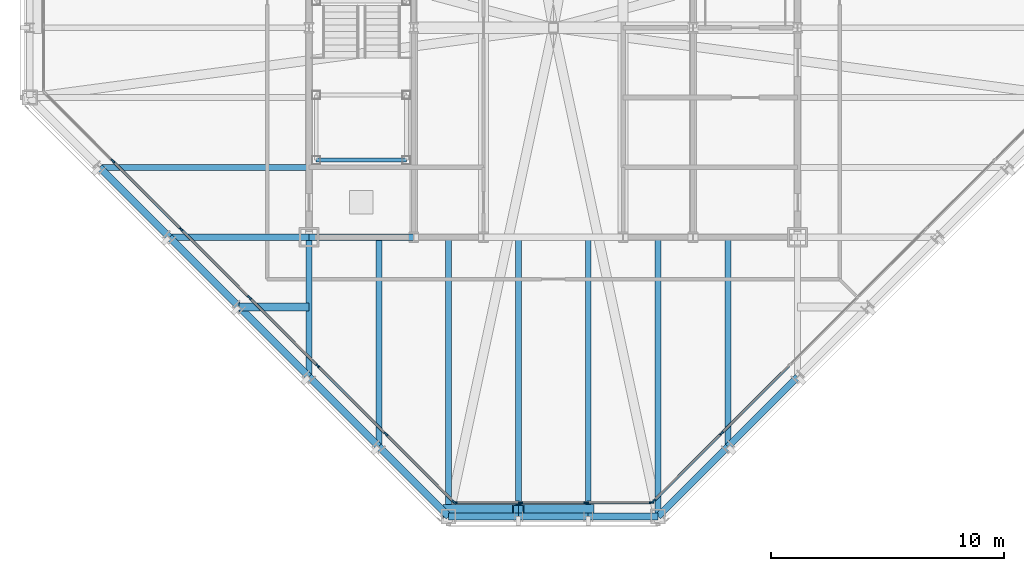
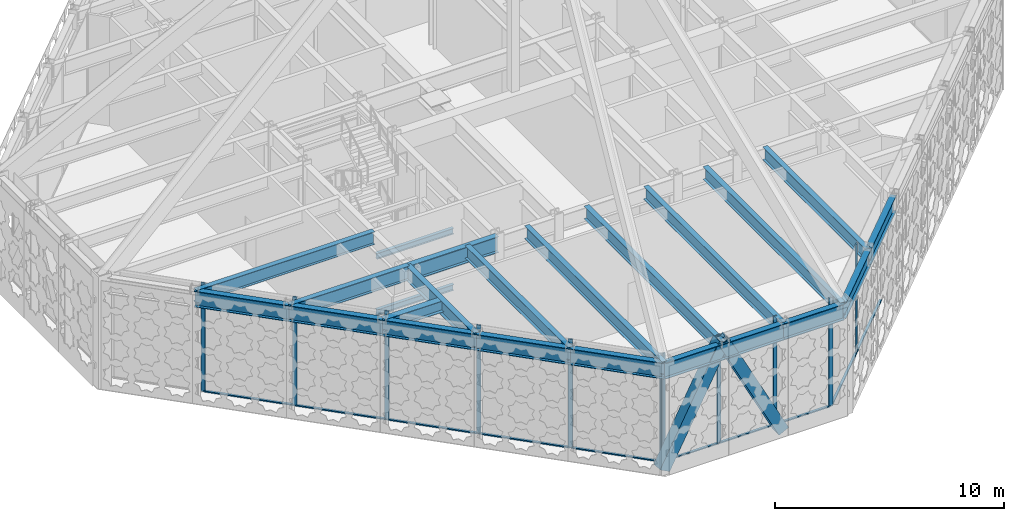
# One storey, part 4 of 30: 24 members, 23 beams, 3 elements without a shape of their own.
"""IFC4 building model written with IfcOpenShell, lengths in metres."""

from ifc_helpers import new_model, si_unit, direction, frame, origin, origin_2d, place, context, subcontext, project, spatial, rectangle, hollow_rectangle, i_section, extrude, material, layer, layer_set, material_profile, profile_set, type_object, element, aggregate, save


model = new_model("IFC4")

# Units and contexts
model_context = context("Model", 3, precision=1e-05, world=origin(), true_north=direction((0.0, 1.0)))
body_context = subcontext(model_context, "Body", "Model", "MODEL_VIEW")
ifc_project = project(units=[si_unit("LENGTHUNIT", "METRE"), si_unit("AREAUNIT", "SQUARE_METRE"), si_unit("VOLUMEUNIT", "CUBIC_METRE"), si_unit("PLANEANGLEUNIT", "RADIAN"), si_unit("MASSUNIT", "GRAM", prefix="KILO")], contexts=[model_context])

# Site, building, storey
site_placement = place(None, origin())
site = spatial("IfcSite", under=ifc_project, at=site_placement, CompositionType="ELEMENT")
building_placement = place(site_placement, origin())
building = spatial("IfcBuilding", under=site, at=building_placement, Name="Chuquiago Exchange Tower", CompositionType="ELEMENT")
storey_placement = place(building_placement, frame((0.0, 0.0, 306.0)))
storey = spatial("IfcBuildingStorey", under=building, at=storey_placement, Name="L68", CompositionType="ELEMENT", Elevation=306.0)

# Beams
ifc_material_1 = material(Name="Steel ASTM A992", Category="steel")
ifc_material_profile_1 = material_profile(ifc_material_1, i_section(OverallWidth=0.25390625, OverallDepth=0.683349609375, WebThickness=0.012451171875, FlangeThickness=0.018798828125, at=origin_2d()), Name="W27X94")
ifc_profile_set_1 = profile_set([ifc_material_profile_1], Name="Steel ASTM A992")
beam_type_1 = type_object("IfcBeamType", Name="B1 W27X94", PredefinedType="BEAM", material=ifc_profile_set_1)
beam_1_placement = place(storey_placement, frame((15.0, 12.0, 5.45849609375), z_axis=(0.0, -1.0, 0.0), x_axis=(1.0, 0.0, 0.0)))
element("IfcBeam", 1, at=beam_1_placement, inside=storey, type_object=beam_type_1, Name="FB-ROOF-infill-15_12-15_3", PredefinedType="BEAM", context=body_context, shape_type="SweptSolid", body=[
    extrude(i_section(OverallWidth=0.25390625, OverallDepth=0.683349609375, WebThickness=0.012451171875, FlangeThickness=0.018798828125, at=origin_2d()), origin(), (0.0, 0.0, 1.0), 9.0),
])
for number, where, z_axis, x_axis, name in (
    (2, (18.0, 12.0, 5.45849609375), (0.0, -1.0, 0.0), (1.0, 0.0, 0.0), "FB-ROOF-infill-18_12-18_-0"),
    (3, (21.0, 12.0, 5.45849609375), (0.0, -1.0, 0.0), (1.0, 0.0, 0.0), "FB-ROOF-infill-21_12-21_-0"),
    (4, (24.0, 12.0, 5.45849609375), (0.0, -1.0, 0.0), (1.0, 0.0, 0.0), "FB-ROOF-infill-24_12-24_-0"),
    (5, (27.0, 12.0, 5.45849609375), (0.0, -1.0, 0.0), (1.0, 0.0, 0.0), "FB-ROOF-infill-27_12-27_-0"),
):
    element("IfcBeam", number, at=place(storey_placement, frame(where, z_axis=z_axis, x_axis=x_axis)), inside=storey, type_object=beam_type_1, Name=name, PredefinedType="BEAM", context=body_context, shape_type="SweptSolid", body=[
        extrude(i_section(OverallWidth=0.25390625, OverallDepth=0.683349609375, WebThickness=0.012451171875, FlangeThickness=0.018798828125, at=origin_2d()), origin(), (0.0, 0.0, 1.0), 12.0),
    ])
for number, where, z_axis, x_axis, name in (
    (6, (30.0, 12.0, 5.45849609375), (0.0, -1.0, 0.0), (1.0, 0.0, 0.0), "FB-ROOF-infill-30_12-30_3"),
    (7, (12.0, 15.0, 5.45849609375), (-1.0, 0.0, 0.0), (0.0, -1.0, 0.0), "FB-ROOF-infill-12_15-3_15"),
):
    element("IfcBeam", number, at=place(storey_placement, frame(where, z_axis=z_axis, x_axis=x_axis)), inside=storey, type_object=beam_type_1, Name=name, PredefinedType="BEAM", context=body_context, shape_type="SweptSolid", body=[
        extrude(i_section(OverallWidth=0.25390625, OverallDepth=0.683349609375, WebThickness=0.012451171875, FlangeThickness=0.018798828125, at=origin_2d()), origin(), (0.0, 0.0, 1.0), 9.0),
    ])
ifc_material_2 = material(Name="Steel ASTM A992", Category="steel")
ifc_material_profile_2 = material_profile(ifc_material_2, i_section(OverallWidth=0.3251953125, OverallDepth=0.612060546875, WebThickness=0.0126953125, FlangeThickness=0.01904296875, at=origin_2d()), Name="W24X104")
ifc_profile_set_2 = profile_set([ifc_material_profile_2], Name="Steel ASTM A992")
beam_type_2 = type_object("IfcBeamType", Name="B2 W24X104", PredefinedType="BEAM", material=ifc_profile_set_2)
beam_2_placement = place(storey_placement, frame((12.0, 9.0, 5.493896484375), z_axis=(-1.0, 0.0, 0.0), x_axis=(0.0, -1.0, 0.0)))
element("IfcBeam", 8, at=beam_2_placement, inside=storey, type_object=beam_type_2, Name="FB-ROOF-corner-12_9-9_9", PredefinedType="BEAM", context=body_context, shape_type="SweptSolid", body=[
    extrude(i_section(OverallWidth=0.3251953125, OverallDepth=0.612060546875, WebThickness=0.0126953125, FlangeThickness=0.01904296875, at=origin_2d()), origin(), (0.0, 0.0, 1.0), 3.0),
])
ifc_material_3 = material(Name="Steel ASTM A992", Category="steel")
ifc_material_profile_3 = material_profile(ifc_material_3, i_section(OverallWidth=0.2919921875, OverallDepth=0.8583984375, WebThickness=0.01708984375, FlangeThickness=0.031005859375, at=origin_2d()), Name="W33X169")
ifc_profile_set_3 = profile_set([ifc_material_profile_3], Name="Steel ASTM A992")
beam_type_3 = type_object("IfcBeamType", Name="B3 W33X169", PredefinedType="BEAM", material=ifc_profile_set_3)
beam_3_placement = place(storey_placement, frame((12.0, 12.0, 5.37060546875), z_axis=(1.0, 0.0, 0.0), x_axis=(0.0, 1.0, 0.0)))
element("IfcBeam", 9, at=beam_3_placement, inside=storey, type_object=beam_type_3, Name="CB-ROOF-12_12-16.5_12", PredefinedType="BEAM", context=body_context, shape_type="SweptSolid", body=[
    extrude(i_section(OverallWidth=0.2919921875, OverallDepth=0.8583984375, WebThickness=0.01708984375, FlangeThickness=0.031005859375, at=origin_2d()), origin(), (0.0, 0.0, 1.0), 4.5),
])

# Curtain wall, members
ifc_material_4 = material(Name="Aluminium curtain wall system", Category="aluminium")
ifc_layer = layer(ifc_material_4, 0.199951171875)
ifc_layer_set = layer_set([ifc_layer], Name="CW5 lantern curtain wall")
curtain_wall_type = type_object("IfcCurtainWallType", Name="CW5 lantern curtain wall", PredefinedType="NOTDEFINED", material=ifc_layer_set)
curtain_wall_1_placement = place(storey_placement, origin())
curtain_wall_1 = element("IfcCurtainWall", 10, at=curtain_wall_1_placement, inside=storey, type_object=curtain_wall_type, Name="CW5 curtain wall L68", PredefinedType="NOTDEFINED")
ifc_material_5 = material(Name="Aluminium mullion, pale anodised", Category="aluminium")
ifc_material_profile_4 = material_profile(ifc_material_5, rectangle(XDim=0.06005859375, YDim=0.199951171875, at=origin_2d()), Name="AL 60x200")
ifc_profile_set_4 = profile_set([ifc_material_profile_4], Name="Aluminium mullion, pale anodised")
member_type_1 = type_object("IfcMemberType", Name="CW5-M mullion 60x200", PredefinedType="MULLION", material=ifc_profile_set_4)
member_1_placement = place(storey_placement, frame((18.278564453125, 0.60009765625, 0.0), z_axis=(0.0, 0.0, 1.0), x_axis=(0.0, 1.0, 0.0)))
member_1 = element("IfcMember", 11, at=member_1_placement, type_object=member_type_1, Name="CW5 mullion 1", PredefinedType="MULLION", context=body_context, shape_type="SweptSolid", body=[
    extrude(rectangle(XDim=0.06005859375, YDim=0.199951171875, at=origin_2d()), origin(), (0.0, 0.0, 1.0), 5.800048828125),
])
member_2_placement = place(storey_placement, frame((21.082763671875, 0.60009765625, 0.0), z_axis=(0.0, 0.0, 1.0), x_axis=(0.0, 1.0, 0.0)))
member_2 = element("IfcMember", 12, at=member_2_placement, type_object=member_type_1, Name="CW5 mullion 2", PredefinedType="MULLION", context=body_context, shape_type="SweptSolid", body=[
    extrude(rectangle(XDim=0.06005859375, YDim=0.199951171875, at=origin_2d()), origin(), (0.0, 0.0, 1.0), 5.800048828125),
])
member_3_placement = place(storey_placement, frame((23.917236328125, 0.60009765625, 0.0), z_axis=(0.0, 0.0, 1.0), x_axis=(0.0, 1.0, 0.0)))
member_3 = element("IfcMember", 13, at=member_3_placement, type_object=member_type_1, Name="CW5 mullion 3", PredefinedType="MULLION", context=body_context, shape_type="SweptSolid", body=[
    extrude(rectangle(XDim=0.06005859375, YDim=0.199951171875, at=origin_2d()), origin(), (0.0, 0.0, 1.0), 5.800048828125),
])
member_4_placement = place(storey_placement, frame((26.721435546875, 0.60009765625, 0.0), z_axis=(0.0, 0.0, 1.0), x_axis=(0.0, 1.0, 0.0)))
member_4 = element("IfcMember", 14, at=member_4_placement, type_object=member_type_1, Name="CW5 mullion 4", PredefinedType="MULLION", context=body_context, shape_type="SweptSolid", body=[
    extrude(rectangle(XDim=0.06005859375, YDim=0.199951171875, at=origin_2d()), origin(), (0.0, 0.0, 1.0), 5.800048828125),
])

curtain_wall_2_placement = place(storey_placement, origin())
curtain_wall_2 = element("IfcCurtainWall", 15, at=curtain_wall_2_placement, inside=storey, type_object=curtain_wall_type, Name="CW5 curtain wall L68", PredefinedType="NOTDEFINED")
member_5_placement = place(storey_placement, frame((26.80810546875, 0.656494140625, 0.0), z_axis=(0.0, 0.0, 1.0), x_axis=(-0.707104773852, 0.707108788515, 0.0)))
member_5 = element("IfcMember", 16, at=member_5_placement, type_object=member_type_1, Name="CW5 mullion 1", PredefinedType="MULLION", context=body_context, shape_type="SweptSolid", body=[
    extrude(rectangle(XDim=0.06005859375, YDim=0.199951171875, at=origin_2d()), origin(), (0.0, 0.0, 1.0), 5.800048828125),
])
member_6_placement = place(storey_placement, frame((29.722412109375, 3.57080078125, 0.0), z_axis=(0.0, 0.0, 1.0), x_axis=(-0.707104773852, 0.707108788515, 0.0)))
member_6 = element("IfcMember", 17, at=member_6_placement, type_object=member_type_1, Name="CW5 mullion 2", PredefinedType="MULLION", context=body_context, shape_type="SweptSolid", body=[
    extrude(rectangle(XDim=0.06005859375, YDim=0.199951171875, at=origin_2d()), origin(), (0.0, 0.0, 1.0), 5.800048828125),
])

curtain_wall_3_placement = place(storey_placement, origin())
curtain_wall_3 = element("IfcCurtainWall", 18, at=curtain_wall_3_placement, inside=storey, type_object=curtain_wall_type, Name="CW5 curtain wall L68", PredefinedType="NOTDEFINED")
member_7_placement = place(storey_placement, frame((3.57080078125, 15.277587890625, 0.0), z_axis=(0.0, 0.0, 1.0), x_axis=(0.707108788515, 0.707104773852, 0.0)))
member_7 = element("IfcMember", 19, at=member_7_placement, type_object=member_type_1, Name="CW5 mullion 2", PredefinedType="MULLION", context=body_context, shape_type="SweptSolid", body=[
    extrude(rectangle(XDim=0.06005859375, YDim=0.199951171875, at=origin_2d()), origin(), (0.0, 0.0, 1.0), 5.800048828125),
])
member_8_placement = place(storey_placement, frame((6.50634765625, 12.342041015625, 0.0), z_axis=(0.0, 0.0, 1.0), x_axis=(0.707108788515, 0.707104773852, 0.0)))
member_8 = element("IfcMember", 20, at=member_8_placement, type_object=member_type_1, Name="CW5 mullion 3", PredefinedType="MULLION", context=body_context, shape_type="SweptSolid", body=[
    extrude(rectangle(XDim=0.06005859375, YDim=0.199951171875, at=origin_2d()), origin(), (0.0, 0.0, 1.0), 5.800048828125),
])
member_9_placement = place(storey_placement, frame((9.44189453125, 9.406494140625, 0.0), z_axis=(0.0, 0.0, 1.0), x_axis=(0.707108788515, 0.707104773852, 0.0)))
member_9 = element("IfcMember", 21, at=member_9_placement, type_object=member_type_1, Name="CW5 mullion 4", PredefinedType="MULLION", context=body_context, shape_type="SweptSolid", body=[
    extrude(rectangle(XDim=0.06005859375, YDim=0.199951171875, at=origin_2d()), origin(), (0.0, 0.0, 1.0), 5.800048828125),
])
member_10_placement = place(storey_placement, frame((12.37744140625, 6.470947265625, 0.0), z_axis=(0.0, 0.0, 1.0), x_axis=(0.707108788515, 0.707104773852, 0.0)))
member_10 = element("IfcMember", 22, at=member_10_placement, type_object=member_type_1, Name="CW5 mullion 5", PredefinedType="MULLION", context=body_context, shape_type="SweptSolid", body=[
    extrude(rectangle(XDim=0.06005859375, YDim=0.199951171875, at=origin_2d()), origin(), (0.0, 0.0, 1.0), 5.800048828125),
])
member_11_placement = place(storey_placement, frame((15.31298828125, 3.53564453125, 0.0), z_axis=(0.0, 0.0, 1.0), x_axis=(0.707108788515, 0.707104773852, 0.0)))
member_11 = element("IfcMember", 23, at=member_11_placement, type_object=member_type_1, Name="CW5 mullion 6", PredefinedType="MULLION", context=body_context, shape_type="SweptSolid", body=[
    extrude(rectangle(XDim=0.06005859375, YDim=0.199951171875, at=origin_2d()), origin(), (0.0, 0.0, 1.0), 5.800048828125),
])
member_12_placement = place(storey_placement, frame((18.227294921875, 0.62109375, 0.0), z_axis=(0.0, 0.0, 1.0), x_axis=(0.707108788515, 0.707104773852, 0.0)))
member_12 = element("IfcMember", 24, at=member_12_placement, type_object=member_type_1, Name="CW5 mullion 7", PredefinedType="MULLION", context=body_context, shape_type="SweptSolid", body=[
    extrude(rectangle(XDim=0.06005859375, YDim=0.199951171875, at=origin_2d()), origin(), (0.0, 0.0, 1.0), 5.800048828125),
])

# Member
ifc_material_6 = material(Name="Aluminium transom, pale anodised", Category="aluminium")
ifc_material_profile_5 = material_profile(ifc_material_6, rectangle(XDim=0.1201171875, YDim=0.06005859375, at=origin_2d()), Name="AL 120x60")
ifc_profile_set_5 = profile_set([ifc_material_profile_5], Name="Aluminium transom, pale anodised")
member_type_2 = type_object("IfcMemberType", Name="CW5-T transom 60x120", PredefinedType="MULLION", material=ifc_profile_set_5)
member_13_placement = place(storey_placement, frame((18.30859375, 0.60009765625, 0.030029296875), z_axis=(1.0, 0.0, 0.0), x_axis=(0.0, 1.0, 0.0)))
member_13 = element("IfcMember", 25, at=member_13_placement, type_object=member_type_2, Name="CW5 transom 1.1", PredefinedType="MULLION", context=body_context, shape_type="SweptSolid", body=[
    extrude(rectangle(XDim=0.1201171875, YDim=0.06005859375, at=origin_2d()), origin(), (0.0, 0.0, 1.0), 2.744140625),
])

member_14_placement = place(storey_placement, frame((21.11279296875, 0.60009765625, 0.030029296875), z_axis=(1.0, 0.0, 0.0), x_axis=(0.0, 1.0, 0.0)))
member_14 = element("IfcMember", 26, at=member_14_placement, type_object=member_type_2, Name="CW5 transom 2.1", PredefinedType="MULLION", context=body_context, shape_type="SweptSolid", body=[
    extrude(rectangle(XDim=0.1201171875, YDim=0.06005859375, at=origin_2d()), origin(), (0.0, 0.0, 1.0), 2.7744140625),
])

member_15_placement = place(storey_placement, frame((23.947265625, 0.60009765625, 0.030029296875), z_axis=(1.0, 0.0, 0.0), x_axis=(0.0, 1.0, 0.0)))
member_15 = element("IfcMember", 27, at=member_15_placement, type_object=member_type_2, Name="CW5 transom 3.1", PredefinedType="MULLION", context=body_context, shape_type="SweptSolid", body=[
    extrude(rectangle(XDim=0.1201171875, YDim=0.06005859375, at=origin_2d()), origin(), (0.0, 0.0, 1.0), 2.744140625),
])

aggregate(curtain_wall_1, [member_1, member_2, member_3, member_4, member_13, member_14, member_15])

member_16_placement = place(storey_placement, frame((26.829345703125, 0.677734375, 0.030029296875), z_axis=(0.707076725429, 0.707136835667, 0.0), x_axis=(-0.707136835667, 0.707076725429, 0.0)))
member_16 = element("IfcMember", 28, at=member_16_placement, type_object=member_type_2, Name="CW5 transom 1.1", PredefinedType="MULLION", context=body_context, shape_type="SweptSolid", body=[
    extrude(rectangle(XDim=0.1201171875, YDim=0.06005859375, at=origin_2d()), origin(), (0.0, 0.0, 1.0), 4.0615234375),
])

member_17_placement = place(storey_placement, frame((29.74365234375, 3.592041015625, 0.030029296875), z_axis=(0.707106781187, 0.707106781187, 0.0), x_axis=(-0.707106781187, 0.707106781187, 0.0)))
member_17 = element("IfcMember", 29, at=member_17_placement, type_object=member_type_2, Name="CW5 transom 2.1", PredefinedType="MULLION", context=body_context, shape_type="SweptSolid", body=[
    extrude(rectangle(XDim=0.1201171875, YDim=0.06005859375, at=origin_2d()), origin(), (0.0, 0.0, 1.0), 4.09130859375),
])

aggregate(curtain_wall_2, [member_5, member_6, member_16, member_17])

member_18_placement = place(storey_placement, frame((3.592041015625, 15.25634765625, 0.030029296875), z_axis=(0.707106781187, -0.707106781187, 0.0), x_axis=(0.707106781187, 0.707106781187, 0.0)))
member_18 = element("IfcMember", 30, at=member_18_placement, type_object=member_type_2, Name="CW5 transom 2.1", PredefinedType="MULLION", context=body_context, shape_type="SweptSolid", body=[
    extrude(rectangle(XDim=0.1201171875, YDim=0.06005859375, at=origin_2d()), origin(), (0.0, 0.0, 1.0), 4.09130859375),
])

member_19_placement = place(storey_placement, frame((6.527587890625, 12.32080078125, 0.030029296875), z_axis=(0.707106781187, -0.707106781187, 0.0), x_axis=(0.707106781187, 0.707106781187, 0.0)))
member_19 = element("IfcMember", 31, at=member_19_placement, type_object=member_type_2, Name="CW5 transom 3.1", PredefinedType="MULLION", context=body_context, shape_type="SweptSolid", body=[
    extrude(rectangle(XDim=0.1201171875, YDim=0.06005859375, at=origin_2d()), origin(), (0.0, 0.0, 1.0), 4.09130859375),
])

member_20_placement = place(storey_placement, frame((9.463134765625, 9.385498046875, 0.030029296875), z_axis=(0.707076946087, -0.707136615027, 0.0), x_axis=(0.707136615027, 0.707076946087, 0.0)))
member_20 = element("IfcMember", 32, at=member_20_placement, type_object=member_type_2, Name="CW5 transom 4.1", PredefinedType="MULLION", context=body_context, shape_type="SweptSolid", body=[
    extrude(rectangle(XDim=0.1201171875, YDim=0.06005859375, at=origin_2d()), origin(), (0.0, 0.0, 1.0), 4.091552734375),
])

member_21_placement = place(storey_placement, frame((12.398681640625, 6.449951171875, 0.030029296875), z_axis=(0.707076946087, -0.707136615027, 0.0), x_axis=(0.707136615027, 0.707076946087, 0.0)))
member_21 = element("IfcMember", 33, at=member_21_placement, type_object=member_type_2, Name="CW5 transom 5.1", PredefinedType="MULLION", context=body_context, shape_type="SweptSolid", body=[
    extrude(rectangle(XDim=0.1201171875, YDim=0.06005859375, at=origin_2d()), origin(), (0.0, 0.0, 1.0), 4.091552734375),
])

member_22_placement = place(storey_placement, frame((15.334228515625, 3.514404296875, 0.030029296875), z_axis=(0.707076725429, -0.707136835667, 0.0), x_axis=(0.707136835667, 0.707076725429, 0.0)))
member_22 = element("IfcMember", 34, at=member_22_placement, type_object=member_type_2, Name="CW5 transom 6.1", PredefinedType="MULLION", context=body_context, shape_type="SweptSolid", body=[
    extrude(rectangle(XDim=0.1201171875, YDim=0.06005859375, at=origin_2d()), origin(), (0.0, 0.0, 1.0), 4.0615234375),
])

aggregate(curtain_wall_3, [member_7, member_8, member_9, member_10, member_11, member_12, member_18, member_19, member_20, member_21, member_22])

# Beams
ifc_material_7 = material(Name="Steel ASTM A992", Category="steel")
ifc_material_profile_6 = material_profile(ifc_material_7, i_section(OverallWidth=0.2666015625, OverallDepth=0.76953125, WebThickness=0.015625, FlangeThickness=0.025390625, at=origin_2d()), Name="W30X132")
ifc_profile_set_6 = profile_set([ifc_material_profile_6], Name="Steel ASTM A992")
beam_type_4 = type_object("IfcBeamType", Name="G1 W30X132", PredefinedType="BEAM", material=ifc_profile_set_6)
for number, where, z_axis, x_axis, name in (
    (35, (12.0, 12.0, 5.415283203125), (0.0, -1.0, 0.0), (1.0, 0.0, 0.0), "FB-ROOF-girder-12_12-12_6"),
    (36, (12.0, 12.0, 5.415283203125), (-1.0, 0.0, 0.0), (0.0, -1.0, 0.0), "FB-ROOF-girder-12_12-6_12"),
):
    element("IfcBeam", number, at=place(storey_placement, frame(where, z_axis=z_axis, x_axis=x_axis)), inside=storey, type_object=beam_type_4, Name=name, PredefinedType="BEAM", context=body_context, shape_type="SweptSolid", body=[
        extrude(i_section(OverallWidth=0.2666015625, OverallDepth=0.76953125, WebThickness=0.015625, FlangeThickness=0.025390625, at=origin_2d()), origin(), (0.0, 0.0, 1.0), 6.0),
    ])
ifc_material_8 = material(Name="Steel ASTM A992", Category="steel")
ifc_material_profile_7 = material_profile(ifc_material_8, i_section(OverallWidth=0.164794921875, OverallDepth=0.309814453125, WebThickness=0.005859375, FlangeThickness=0.009765625, at=origin_2d()), Name="W12X26")
ifc_profile_set_7 = profile_set([ifc_material_profile_7], Name="Steel ASTM A992")
beam_type_5 = type_object("IfcBeamType", Name="LT1 W12X26", PredefinedType="BEAM", material=ifc_profile_set_7)
for number, where, z_axis, x_axis, name in (
    (37, (12.31005859375, 15.31005859375, 1.14501953125), (1.0, 0.0, 0.0), (0.0, 1.0, 0.0), "Stair ST1 L68 landing 1 trimmer"),
    (38, (12.31005859375, 15.31005859375, 4.14501953125), (1.0, 0.0, 0.0), (0.0, 1.0, 0.0), "Stair ST1 L68 landing 3 trimmer"),
):
    element("IfcBeam", number, at=place(storey_placement, frame(where, z_axis=z_axis, x_axis=x_axis)), inside=storey, type_object=beam_type_5, Name=name, PredefinedType="BEAM", context=body_context, shape_type="SweptSolid", body=[
        extrude(i_section(OverallWidth=0.164794921875, OverallDepth=0.309814453125, WebThickness=0.005859375, FlangeThickness=0.009765625, at=origin_2d()), origin(), (0.0, 0.0, 1.0), 3.8798828125),
    ])

# Members
ifc_material_9 = material(Name="Steel ASTM A572 Grade 50", Category="steel")
ifc_material_profile_8 = material_profile(ifc_material_9, hollow_rectangle(XDim=0.550048828125, YDim=0.550048828125, WallThickness=0.044921875, at=origin_2d()), Name="BOX550X550X45")
ifc_profile_set_8 = profile_set([ifc_material_profile_8], Name="Steel ASTM A572 Grade 50")
member_type_3 = type_object("IfcMemberType", Name="MB4 BOX550X550X45", PredefinedType="BRACE", material=ifc_profile_set_8)
for number, where, z_axis, x_axis, name in (
    (39, (18.0, 0.22998046875, 0.0), (0.459419867531, 0.0, 0.88821922143), (0.0, 1.0, 0.0), "Mega diagonal L68 S face"),
    (40, (24.0, 0.22998046875, 0.0), (-0.459419867531, 0.0, 0.88821922143), (0.0, -1.0, 0.0), "Mega diagonal L68 S face"),
):
    element("IfcMember", number, at=place(storey_placement, frame(where, z_axis=z_axis, x_axis=x_axis)), inside=storey, type_object=member_type_3, Name=name, PredefinedType="BRACE", context=body_context, shape_type="SweptSolid", body=[
        extrude(hollow_rectangle(XDim=0.550048828125, YDim=0.550048828125, WallThickness=0.044921875, at=origin_2d()), origin(), (0.0, 0.0, 1.0), 6.530029296875),
    ])

# Beams
ifc_material_10 = material(Name="Steel ASTM A992", Category="steel")
ifc_material_profile_9 = material_profile(ifc_material_10, i_section(OverallWidth=0.2919921875, OverallDepth=0.8583984375, WebThickness=0.01708984375, FlangeThickness=0.031005859375, at=origin_2d()), Name="W33X169")
ifc_profile_set_9 = profile_set([ifc_material_profile_9], Name="Steel ASTM A992")
beam_type_6 = type_object("IfcBeamType", Name="SP4 W33X169", PredefinedType="SPANDREL", material=ifc_profile_set_9)
for number, where, z_axis, x_axis, name in (
    (41, (18.0, 0.0, 5.37060546875), (1.0, 0.0, 0.0), (0.0, 1.0, 0.0), "SPB-ROOF-18_0-21_0"),
    (42, (21.0, 0.0, 5.37060546875), (1.0, 0.0, 0.0), (0.0, 1.0, 0.0), "SPB-ROOF-21_0-24_0"),
    (43, (24.0, 0.0, 5.37060546875), (1.0, 0.0, 0.0), (0.0, 1.0, 0.0), "SPB-ROOF-24_0-27_0"),
):
    element("IfcBeam", number, at=place(storey_placement, frame(where, z_axis=z_axis, x_axis=x_axis)), inside=storey, type_object=beam_type_6, Name=name, PredefinedType="SPANDREL", context=body_context, shape_type="SweptSolid", body=[
        extrude(i_section(OverallWidth=0.2919921875, OverallDepth=0.8583984375, WebThickness=0.01708984375, FlangeThickness=0.031005859375, at=origin_2d()), origin(), (0.0, 0.0, 1.0), 3.0),
    ])
for number, where, z_axis, x_axis, name in (
    (44, (27.0, 0.0, 5.37060546875), (0.707106781187, 0.707106781187, 0.0), (-0.707106781187, 0.707106781187, 0.0), "SPB-ROOF-27_0-30_3"),
    (45, (30.0, 3.0, 5.37060546875), (0.707106781187, 0.707106781187, 0.0), (-0.707106781187, 0.707106781187, 0.0), "SPB-ROOF-30_3-33_6"),
    (46, (3.0, 15.0, 5.37060546875), (0.707106781187, -0.707106781187, 0.0), (0.707106781187, 0.707106781187, 0.0), "SPB-ROOF-3_15-6_12"),
    (47, (6.0, 12.0, 5.37060546875), (0.707106781187, -0.707106781187, 0.0), (0.707106781187, 0.707106781187, 0.0), "SPB-ROOF-6_12-9_9"),
    (48, (9.0, 9.0, 5.37060546875), (0.707106781187, -0.707106781187, 0.0), (0.707106781187, 0.707106781187, 0.0), "SPB-ROOF-9_9-12_6"),
    (49, (12.0, 6.0, 5.37060546875), (0.707106781187, -0.707106781187, 0.0), (0.707106781187, 0.707106781187, 0.0), "SPB-ROOF-12_6-15_3"),
    (50, (15.0, 3.0, 5.37060546875), (0.707106781187, -0.707106781187, 0.0), (0.707106781187, 0.707106781187, 0.0), "SPB-ROOF-15_3-18_0"),
):
    element("IfcBeam", number, at=place(storey_placement, frame(where, z_axis=z_axis, x_axis=x_axis)), inside=storey, type_object=beam_type_6, Name=name, PredefinedType="SPANDREL", context=body_context, shape_type="SweptSolid", body=[
        extrude(i_section(OverallWidth=0.2919921875, OverallDepth=0.8583984375, WebThickness=0.01708984375, FlangeThickness=0.031005859375, at=origin_2d()), origin(), (0.0, 0.0, 1.0), 4.24267578125),
    ])

save(model, "model.ifc")
